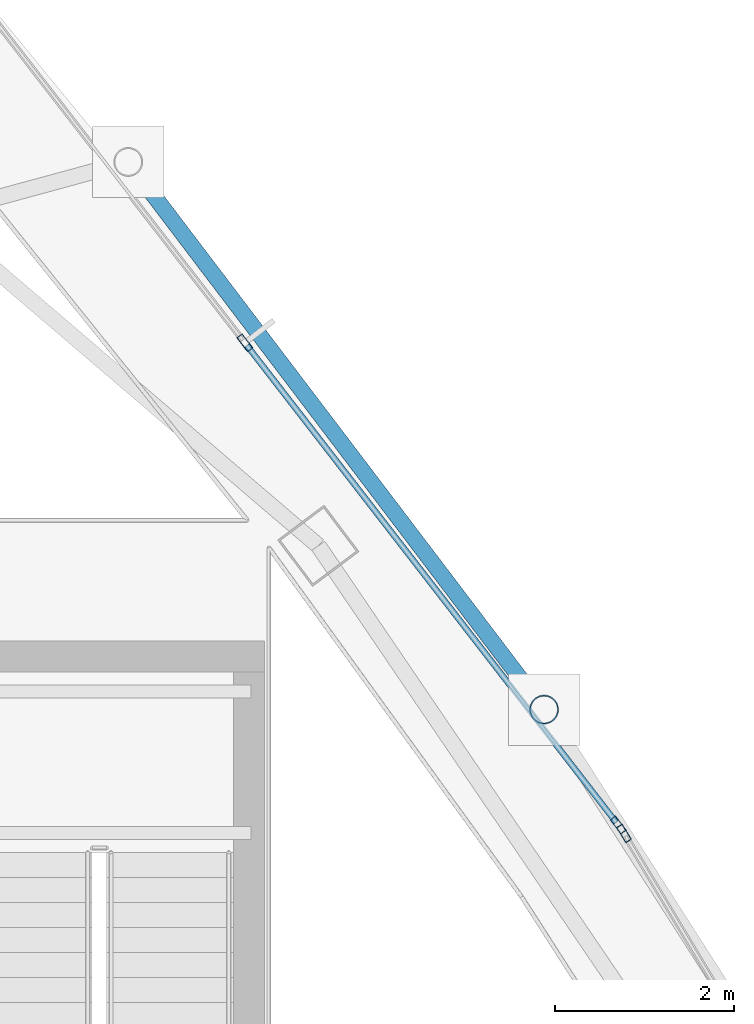
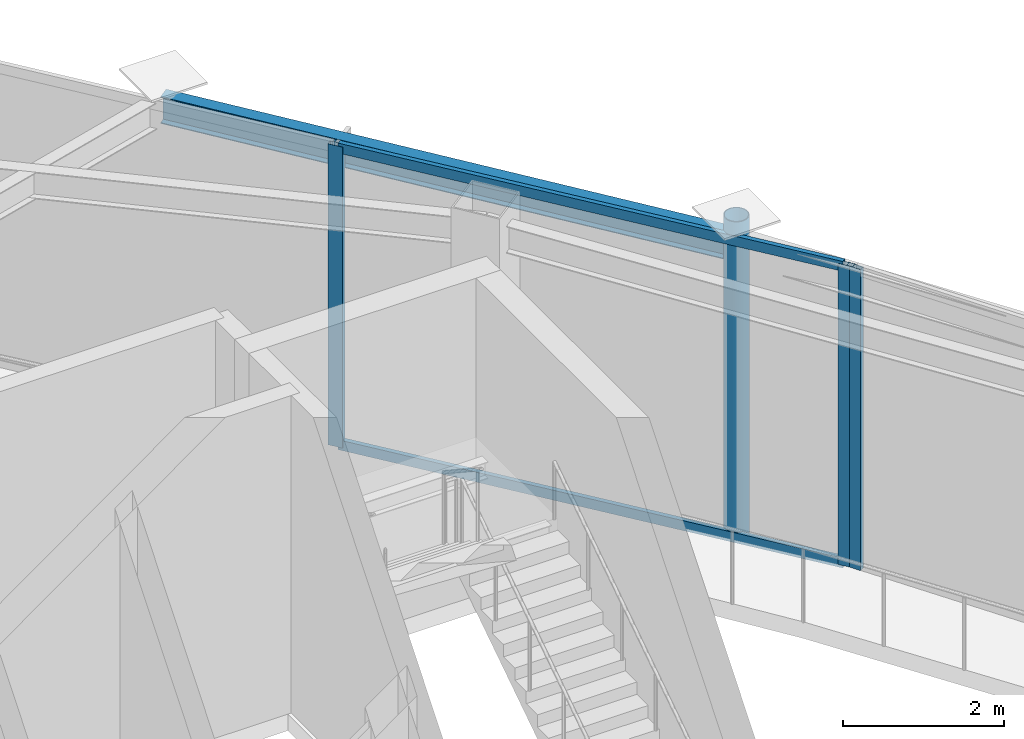
# One storey, part 10 of 19: 6 members, 1 beam, 2 elements without a shape of their own.
"""IFC4 building model written with IfcOpenShell, lengths in metres."""

from ifc_helpers import new_model, si_unit, direction, frame, origin, origin_2d, place, context, subcontext, project, spatial, hollow_rectangle, hollow_circle, i_section, extrude, material, layer, layer_set, material_profile, profile_set, type_object, element, aggregate, save


model = new_model("IFC4")

# Units and contexts
model_context = context("Model", 3, precision=1e-05, world=origin(), true_north=direction((0.0, 1.0)))
body_context = subcontext(model_context, "Body", "Model", "MODEL_VIEW")
ifc_project = project(units=[si_unit("LENGTHUNIT", "METRE"), si_unit("AREAUNIT", "SQUARE_METRE"), si_unit("VOLUMEUNIT", "CUBIC_METRE"), si_unit("PLANEANGLEUNIT", "RADIAN"), si_unit("MASSUNIT", "GRAM", prefix="KILO")], contexts=[model_context])

# Site, building, storey
site_placement = place(None, origin())
site = spatial("IfcSite", under=ifc_project, at=site_placement, CompositionType="ELEMENT")
building_placement = place(site_placement, origin())
building = spatial("IfcBuilding", under=site, at=building_placement, Name="Orvanel Arch Residences", CompositionType="ELEMENT")
storey_placement = place(building_placement, frame((0.0, 0.0, 290.89990234375)))
storey = spatial("IfcBuildingStorey", under=building, at=storey_placement, Name="L82", CompositionType="ELEMENT", Elevation=290.89990234375)

# Curtain wall, member
ifc_material_1 = material(Name="Bronze-anodised aluminium AA6063-T6", Category="aluminium")
ifc_layer = layer(ifc_material_1, 0.2099609375)
ifc_layer_set = layer_set([ifc_layer], Name="Bronze-anodised aluminium AA6063-T6")
curtain_wall_type = type_object("IfcCurtainWallType", Name="CW7-TOP-SYS", PredefinedType="NOTDEFINED", material=ifc_layer_set)
curtain_wall_1_placement = place(storey_placement, origin())
curtain_wall_1 = element("IfcCurtainWall", 1, at=curtain_wall_1_placement, inside=storey, type_object=curtain_wall_type, Name="L82 CW7-TOP-SYS Unitised Curtain Wall", PredefinedType="NOTDEFINED")
ifc_material_profile_1 = material_profile(ifc_material_1, hollow_rectangle(XDim=0.074951171875, YDim=0.199951171875, WallThickness=0.0048828125, at=origin_2d()), Name="ALU200x75x5")
ifc_profile_set_1 = profile_set([ifc_material_profile_1], Name="Bronze-anodised aluminium AA6063-T6")
member_type_1 = type_object("IfcMemberType", Name="MUL-200x75", PredefinedType="MULLION", material=ifc_profile_set_1)
member_1_placement = place(storey_placement, frame((43.773193359375, 31.892822265625, 0.0), z_axis=(0.0, 0.0, 1.0), x_axis=(-0.857522096821, -0.514447133788, 0.0)))
member_1 = element("IfcMember", 2, at=member_1_placement, type_object=member_type_1, Name="CW-S7 mullion 2", PredefinedType="MULLION", context=body_context, shape_type="SweptSolid", body=[
    extrude(hollow_rectangle(XDim=0.074951171875, YDim=0.199951171875, WallThickness=0.0048828125, at=origin_2d()), origin(), (0.0, 0.0, 1.0), 4.550048828125),
])
aggregate(curtain_wall_1, [member_1])

# Curtain wall, members
curtain_wall_2_placement = place(storey_placement, origin())
curtain_wall_2 = element("IfcCurtainWall", 3, at=curtain_wall_2_placement, inside=storey, type_object=curtain_wall_type, Name="L82 CW7-TOP-SYS Unitised Curtain Wall", PredefinedType="NOTDEFINED")
member_2_placement = place(storey_placement, frame((43.708984375, 31.987548828125, 0.0), z_axis=(0.0, 0.0, 1.0), x_axis=(-0.790656592833, -0.612259873102, 0.0)))
member_2 = element("IfcMember", 4, at=member_2_placement, type_object=member_type_1, Name="CW-S7 mullion 1", PredefinedType="MULLION", context=body_context, shape_type="SweptSolid", body=[
    extrude(hollow_rectangle(XDim=0.074951171875, YDim=0.199951171875, WallThickness=0.0048828125, at=origin_2d()), origin(), (0.0, 0.0, 1.0), 4.550048828125),
])
member_3_placement = place(storey_placement, frame((39.529541015625, 37.385009765625, 0.0), z_axis=(0.0, 0.0, 1.0), x_axis=(-0.790656592833, -0.612259873102, 0.0)))
member_3 = element("IfcMember", 5, at=member_3_placement, type_object=member_type_1, Name="CW-S7 mullion 2", PredefinedType="MULLION", context=body_context, shape_type="SweptSolid", body=[
    extrude(hollow_rectangle(XDim=0.074951171875, YDim=0.199951171875, WallThickness=0.0048828125, at=origin_2d()), origin(), (0.0, 0.0, 1.0), 4.550048828125),
])

# Beam
ifc_material_2 = material(Name="Structural steel AS/NZS 3679.1 Grade 300 (300 MPa)", Category="steel")
ifc_material_profile_2 = material_profile(ifc_material_2, i_section(OverallWidth=0.177978515625, OverallDepth=0.406005859375, WebThickness=0.0078125, FlangeThickness=0.0126953125, at=origin_2d()), Name="410UB59.7")
ifc_profile_set_2 = profile_set([ifc_material_profile_2], Name="Structural steel AS/NZS 3679.1 Grade 300 (300 MPa)")
beam_type = type_object("IfcBeamType", Name="OB-410UB-EXT", PredefinedType="SPANDREL", material=ifc_profile_set_2)
beam_placement = place(storey_placement, frame((42.87890625, 33.280029296875, 4.34716796875), z_axis=(-0.604759912546, 0.796407840354, 0.0), x_axis=(-0.796407840354, -0.604759912546, 0.0)))
element("IfcBeam", 6, at=beam_placement, inside=storey, type_object=beam_type, Name="L82 Outer Perimeter Floor Ring Beam 11", PredefinedType="SPANDREL", context=body_context, shape_type="SweptSolid", body=[
    extrude(i_section(OverallWidth=0.177978515625, OverallDepth=0.406005859375, WebThickness=0.0078125, FlangeThickness=0.0126953125, at=origin_2d()), origin(), (0.0, 0.0, 1.0), 7.697021484375),
])

# Member
ifc_material_3 = material(Name="Structural steel AS/NZS 1163 C350L0 (Grade 350)", Category="steel")
ifc_material_profile_3 = material_profile(ifc_material_3, hollow_circle(Radius=0.162109375, WallThickness=0.0126953125, at=origin_2d()), Name="CHS324x12.7")
ifc_profile_set_3 = profile_set([ifc_material_profile_3], Name="Structural steel AS/NZS 1163 C350L0 (Grade 350)")
member_type_2 = type_object("IfcMemberType", Name="ST-324CHS-EXT", PredefinedType="STRUT", material=ifc_profile_set_3)
member_4_placement = place(storey_placement, frame((42.87890625, 33.280029296875, 0.0), z_axis=(0.0, 0.0, 1.0), x_axis=(1.0, 0.0, 0.0)))
element("IfcMember", 7, at=member_4_placement, inside=storey, type_object=member_type_2, Name="L82 Outer Perimeter Frame Post 11", PredefinedType="STRUT", context=body_context, shape_type="SweptSolid", body=[
    extrude(hollow_circle(Radius=0.162109375, WallThickness=0.0126953125, at=origin_2d()), origin(), (0.0, 0.0, 1.0), 4.800048828125),
])

ifc_material_profile_4 = material_profile(ifc_material_1, hollow_rectangle(XDim=0.06494140625, YDim=0.14990234375, WallThickness=0.00390625, at=origin_2d()), Name="ALU150x65x4")
ifc_profile_set_4 = profile_set([ifc_material_profile_4], Name="Bronze-anodised aluminium AA6063-T6")
member_type_3 = type_object("IfcMemberType", Name="TRN-150x65", PredefinedType="USERDEFINED", material=ifc_profile_set_4)
member_5_placement = place(storey_placement, frame((43.68603515625, 32.017333984375, 0.03271484375), z_axis=(-0.612246853971, 0.790666674271, 0.0), x_axis=(-0.790666674271, -0.612246853971, 0.0)))
member_5 = element("IfcMember", 8, at=member_5_placement, type_object=member_type_3, Name="CW-S7 transom 1.1", ObjectType="TRANSOM", PredefinedType="USERDEFINED", context=body_context, shape_type="SweptSolid", body=[
    extrude(hollow_rectangle(XDim=0.06494140625, YDim=0.14990234375, WallThickness=0.00390625, at=origin_2d()), origin(), (0.0, 0.0, 1.0), 6.75146484375),
])

member_6_placement = place(storey_placement, frame((43.68603515625, 32.017333984375, 4.517578125), z_axis=(-0.612246853971, 0.790666674271, 0.0), x_axis=(-0.790666674271, -0.612246853971, 0.0)))
member_6 = element("IfcMember", 9, at=member_6_placement, type_object=member_type_3, Name="CW-S7 transom 1.2", ObjectType="TRANSOM", PredefinedType="USERDEFINED", context=body_context, shape_type="SweptSolid", body=[
    extrude(hollow_rectangle(XDim=0.06494140625, YDim=0.14990234375, WallThickness=0.00390625, at=origin_2d()), origin(), (0.0, 0.0, 1.0), 6.75146484375),
])

aggregate(curtain_wall_2, [member_2, member_3, member_5, member_6])

save(model, "model.ifc")
